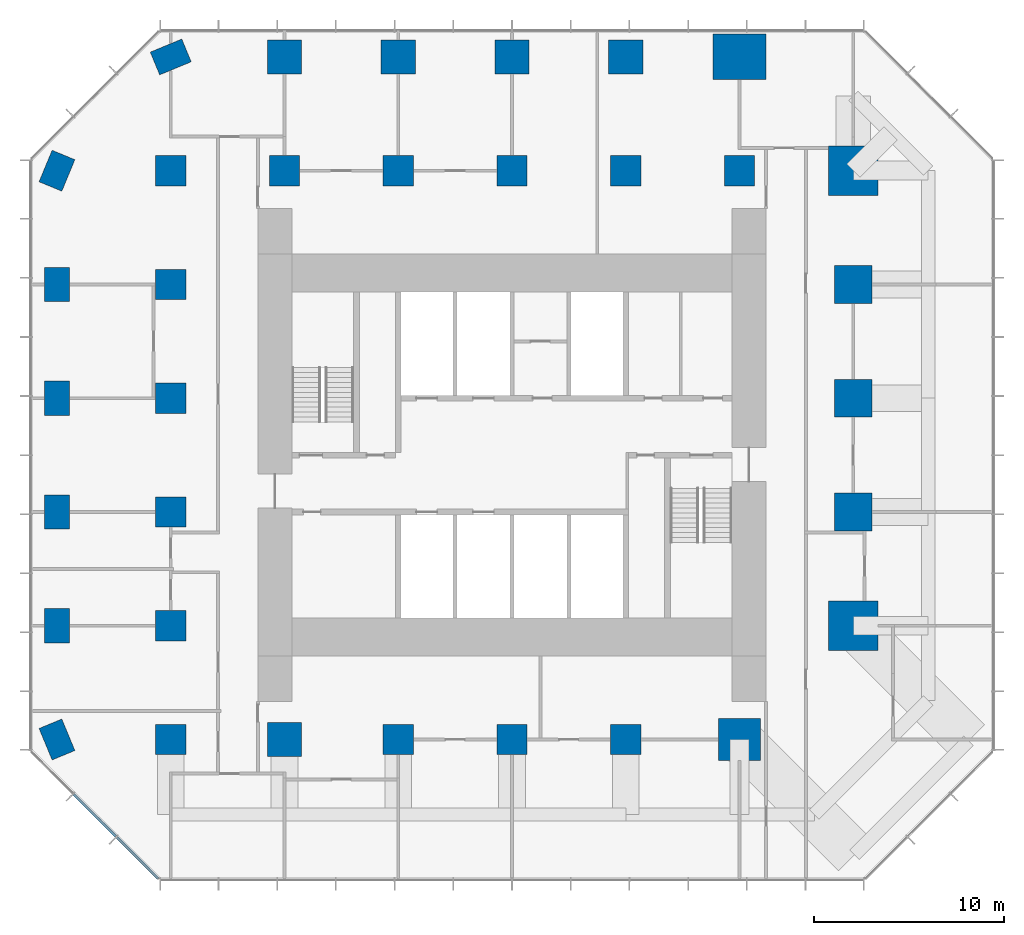
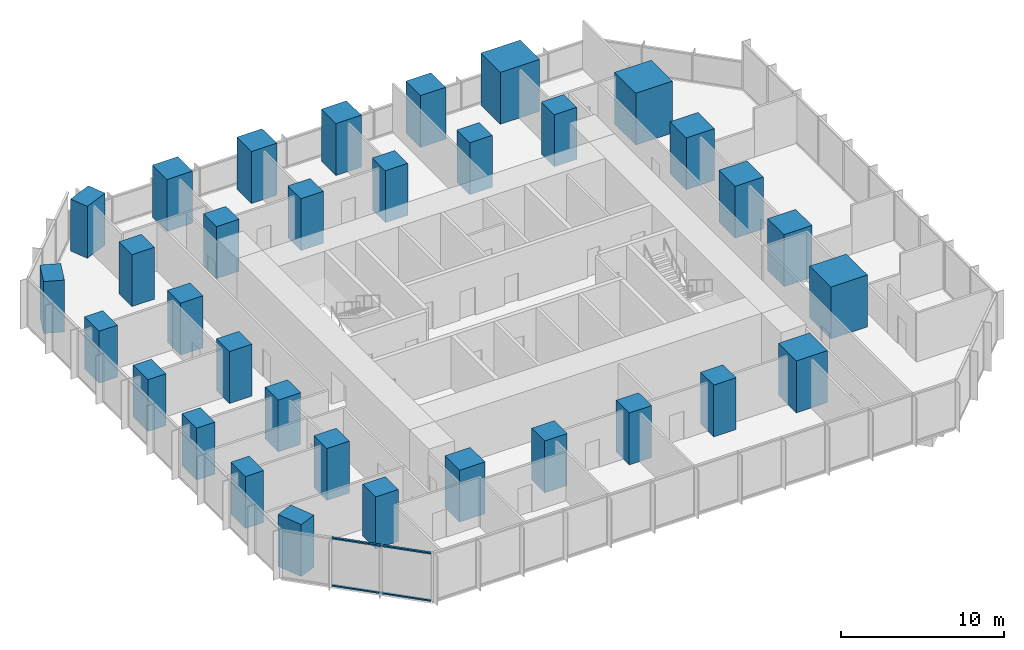
# One storey, part 1 of 12: 33 columns, 4 members, 1 element without a shape of its own.
"""IFC4 building model written with IfcOpenShell, lengths in metres."""

from ifc_helpers import new_model, si_unit, direction, frame, origin, origin_2d, place, context, subcontext, project, spatial, rectangle, extrude, material, layer, layer_set, material_profile, profile_set, type_object, element, aggregate, save


model = new_model("IFC4")

# Units and contexts
model_context = context("Model", 3, precision=1e-05, world=origin(), true_north=direction((0.0, 1.0)))
body_context = subcontext(model_context, "Body", "Model", "MODEL_VIEW")
ifc_project = project(units=[si_unit("LENGTHUNIT", "METRE"), si_unit("AREAUNIT", "SQUARE_METRE"), si_unit("VOLUMEUNIT", "CUBIC_METRE"), si_unit("PLANEANGLEUNIT", "RADIAN"), si_unit("MASSUNIT", "GRAM", prefix="KILO")], contexts=[model_context])

# Site, building, storey
site_placement = place(None, origin())
site = spatial("IfcSite", under=ifc_project, at=site_placement, CompositionType="ELEMENT")
building_placement = place(site_placement, origin())
building = spatial("IfcBuilding", under=site, at=building_placement, Name="Highveld Stack Headquarters", CompositionType="ELEMENT")
storey_placement = place(building_placement, frame((0.0, 0.0, 160.10009765625)))
storey = spatial("IfcBuildingStorey", under=building, at=storey_placement, Name="L39", CompositionType="ELEMENT", Elevation=160.10009765625)

# Columns
ifc_material_1 = material(Name="Concrete C60/75", Category="concrete")
ifc_material_profile_1 = material_profile(ifc_material_1, rectangle(XDim=1.60009765625, YDim=1.60009765625, at=origin_2d()), Name="RC 1600x1600")
ifc_profile_set_1 = profile_set([ifc_material_profile_1], Name="Concrete C60/75")
column_type_1 = type_object("IfcColumnType", Name="COLUMN RC 1600x1600 C60/75", PredefinedType="COLUMN", material=ifc_profile_set_1)
for number, where, z_axis, x_axis, name in (
    (1, (-12.0, -12.0, 0.0), (0.0, 0.0, 1.0), (1.0, 0.0, 0.0), "Column 4/C L39"),
    (2, (-12.0, -6.0, 0.0), (0.0, 0.0, 1.0), (1.0, 0.0, 0.0), "Column 4/D L39"),
    (3, (-12.0, 0.0, 0.0), (0.0, 0.0, 1.0), (1.0, 0.0, 0.0), "Column 4/E L39"),
    (4, (-12.0, 6.0, 0.0), (0.0, 0.0, 1.0), (1.0, 0.0, 0.0), "Column 4/F L39"),
    (5, (-12.0, 12.0, 0.0), (0.0, 0.0, 1.0), (1.0, 0.0, 0.0), "Column 4/G L39"),
    (6, (-12.0, 18.0, 0.0), (0.0, 0.0, 1.0), (1.0, 0.0, 0.0), "Column 4/H L39"),
    (7, (-6.0, 18.0, 0.0), (0.0, 0.0, 1.0), (1.0, 0.0, 0.0), "Column 5/H L39"),
    (8, (0.0, -12.0, 0.0), (0.0, 0.0, 1.0), (1.0, 0.0, 0.0), "Column 6/C L39"),
    (9, (0.0, 18.0, 0.0), (0.0, 0.0, 1.0), (1.0, 0.0, 0.0), "Column 6/H L39"),
    (10, (6.0, -12.0, 0.0), (0.0, 0.0, 1.0), (1.0, 0.0, 0.0), "Column 7/C L39"),
    (11, (6.0, 18.0, 0.0), (0.0, 0.0, 1.0), (1.0, 0.0, 0.0), "Column 7/H L39"),
    (12, (12.0, -12.0, 0.0), (0.0, 0.0, 1.0), (1.0, 0.0, 0.0), "Column 8/C L39"),
    (13, (12.0, 18.0, 0.0), (0.0, 0.0, 1.0), (1.0, 0.0, 0.0), "Column 8/H L39"),
    (14, (18.0, 18.0, 0.0), (0.0, 0.0, 1.0), (1.0, 0.0, 0.0), "Column 9/H L39"),
):
    element("IfcColumn", number, at=place(storey_placement, frame(where, z_axis=z_axis, x_axis=x_axis)), inside=storey, type_object=column_type_1, Name=name, PredefinedType="COLUMN", context=body_context, shape_type="SweptSolid", body=[
        extrude(rectangle(XDim=1.60009765625, YDim=1.60009765625, at=origin_2d()), origin(), (0.0, 0.0, 1.0), 3.89990234375),
    ])
ifc_material_2 = material(Name="Concrete C60/75", Category="concrete")
ifc_material_profile_2 = material_profile(ifc_material_2, rectangle(XDim=1.800048828125, YDim=1.300048828125, at=origin_2d()), Name="RC 1800x1300")
ifc_profile_set_2 = profile_set([ifc_material_profile_2], Name="Concrete C60/75")
column_type_2 = type_object("IfcColumnType", Name="COLUMN RC 1800x1300 C60/75", PredefinedType="COLUMN", material=ifc_profile_set_2)
for number, where, z_axis, x_axis, name in (
    (15, (-18.0, -12.0, 0.0), (0.0, 0.0, 1.0), (-0.382683432365, 0.923879532511, 0.0), "Column 3/C L39"),
    (16, (-18.0, -6.0, 0.0), (0.0, 0.0, 1.0), (0.0, 1.0, 0.0), "Column 3/D L39"),
    (17, (-18.0, 0.0, 0.0), (0.0, 0.0, 1.0), (0.0, 1.0, 0.0), "Column 3/E L39"),
    (18, (-18.0, 6.0, 0.0), (0.0, 0.0, 1.0), (0.0, 1.0, 0.0), "Column 3/F L39"),
    (19, (-18.0, 12.0, 0.0), (0.0, 0.0, 1.0), (0.0, 1.0, 0.0), "Column 3/G L39"),
    (20, (-18.0, 18.0, 0.0), (0.0, 0.0, 1.0), (0.382683432365, 0.923879532511, 0.0), "Column 3/H L39"),
    (21, (-12.0, 24.0, 0.0), (0.0, 0.0, 1.0), (0.923879532511, 0.382683432365, 0.0), "Column 4/J L39"),
):
    element("IfcColumn", number, at=place(storey_placement, frame(where, z_axis=z_axis, x_axis=x_axis)), inside=storey, type_object=column_type_2, Name=name, PredefinedType="COLUMN", context=body_context, shape_type="SweptSolid", body=[
        extrude(rectangle(XDim=1.800048828125, YDim=1.300048828125, at=origin_2d()), origin(), (0.0, 0.0, 1.0), 3.89990234375),
    ])
ifc_material_3 = material(Name="Concrete C60/75", Category="concrete")
ifc_material_profile_3 = material_profile(ifc_material_3, rectangle(XDim=1.800048828125, YDim=1.800048828125, at=origin_2d()), Name="RC 1800x1800")
ifc_profile_set_3 = profile_set([ifc_material_profile_3], Name="Concrete C60/75")
column_type_3 = type_object("IfcColumnType", Name="COLUMN RC 1800x1800 C60/75", PredefinedType="COLUMN", material=ifc_profile_set_3)
for number, where, z_axis, x_axis, name in (
    (22, (-6.0, -12.0, 0.0), (0.0, 0.0, 1.0), (1.0, 0.0, 0.0), "Column 5/C L39"),
    (23, (-6.0, 24.0, 0.0), (0.0, 0.0, 1.0), (1.0, 0.0, 0.0), "Column 5/J L39"),
    (24, (0.0, 24.0, 0.0), (0.0, 0.0, 1.0), (1.0, 0.0, 0.0), "Column 6/J L39"),
    (25, (6.0, 24.0, 0.0), (0.0, 0.0, 1.0), (1.0, 0.0, 0.0), "Column 7/J L39"),
    (26, (12.0, 24.0, 0.0), (0.0, 0.0, 1.0), (1.0, 0.0, 0.0), "Column 8/J L39"),
):
    element("IfcColumn", number, at=place(storey_placement, frame(where, z_axis=z_axis, x_axis=x_axis)), inside=storey, type_object=column_type_3, Name=name, PredefinedType="COLUMN", context=body_context, shape_type="SweptSolid", body=[
        extrude(rectangle(XDim=1.800048828125, YDim=1.800048828125, at=origin_2d()), origin(), (0.0, 0.0, 1.0), 3.89990234375),
    ])
ifc_material_4 = material(Name="Concrete C60/75", Category="concrete")
ifc_material_profile_4 = material_profile(ifc_material_4, rectangle(XDim=2.0, YDim=2.0, at=origin_2d()), Name="RC 2000x2000")
ifc_profile_set_4 = profile_set([ifc_material_profile_4], Name="Concrete C60/75")
column_type_4 = type_object("IfcColumnType", Name="COLUMN RC 2000x2000 C60/75", PredefinedType="COLUMN", material=ifc_profile_set_4)
for number, where, z_axis, x_axis, name in (
    (27, (24.0, 0.0, 0.0), (0.0, 0.0, 1.0), (1.0, 0.0, 0.0), "Column 10/E L39"),
    (28, (24.0, 6.0, 0.0), (0.0, 0.0, 1.0), (1.0, 0.0, 0.0), "Column 10/F L39"),
    (29, (24.0, 12.0, 0.0), (0.0, 0.0, 1.0), (1.0, 0.0, 0.0), "Column 10/G L39"),
):
    element("IfcColumn", number, at=place(storey_placement, frame(where, z_axis=z_axis, x_axis=x_axis)), inside=storey, type_object=column_type_4, Name=name, PredefinedType="COLUMN", context=body_context, shape_type="SweptSolid", body=[
        extrude(rectangle(XDim=2.0, YDim=2.0, at=origin_2d()), origin(), (0.0, 0.0, 1.0), 3.89990234375),
    ])
ifc_material_5 = material(Name="Concrete C60/75", Category="concrete")
ifc_material_profile_5 = material_profile(ifc_material_5, rectangle(XDim=2.199951171875, YDim=2.199951171875, at=origin_2d()), Name="RC 2200x2200")
ifc_profile_set_5 = profile_set([ifc_material_profile_5], Name="Concrete C60/75")
column_type_5 = type_object("IfcColumnType", Name="COLUMN RC 2200x2200 C60/75", PredefinedType="COLUMN", material=ifc_profile_set_5)
column_1_placement = place(storey_placement, frame((18.0, -12.0, 0.0), z_axis=(0.0, 0.0, 1.0), x_axis=(1.0, 0.0, 0.0)))
element("IfcColumn", 30, at=column_1_placement, inside=storey, type_object=column_type_5, Name="Column 9/C L39", PredefinedType="COLUMN", context=body_context, shape_type="SweptSolid", body=[
    extrude(rectangle(XDim=2.199951171875, YDim=2.199951171875, at=origin_2d()), origin(), (0.0, 0.0, 1.0), 3.89990234375),
])
ifc_material_6 = material(Name="Concrete C60/75", Category="concrete")
ifc_material_profile_6 = material_profile(ifc_material_6, rectangle(XDim=2.60009765625, YDim=2.60009765625, at=origin_2d()), Name="RC 2600x2600")
ifc_profile_set_6 = profile_set([ifc_material_profile_6], Name="Concrete C60/75")
column_type_6 = type_object("IfcColumnType", Name="COLUMN RC 2600x2600 C60/75", PredefinedType="COLUMN", material=ifc_profile_set_6)
for number, where, z_axis, x_axis, name in (
    (31, (24.0, -6.0, 0.0), (0.0, 0.0, 1.0), (1.0, 0.0, 0.0), "Column 10/D L39"),
    (32, (24.0, 18.0, 0.0), (0.0, 0.0, 1.0), (1.0, 0.0, 0.0), "Column 10/H L39"),
):
    element("IfcColumn", number, at=place(storey_placement, frame(where, z_axis=z_axis, x_axis=x_axis)), inside=storey, type_object=column_type_6, Name=name, PredefinedType="COLUMN", context=body_context, shape_type="SweptSolid", body=[
        extrude(rectangle(XDim=2.60009765625, YDim=2.60009765625, at=origin_2d()), origin(), (0.0, 0.0, 1.0), 3.89990234375),
    ])
ifc_material_7 = material(Name="Concrete C60/75", Category="concrete")
ifc_material_profile_7 = material_profile(ifc_material_7, rectangle(XDim=2.800048828125, YDim=2.39990234375, at=origin_2d()), Name="RC 2800x2400")
ifc_profile_set_7 = profile_set([ifc_material_profile_7], Name="Concrete C60/75")
column_type_7 = type_object("IfcColumnType", Name="COLUMN RC 2800x2400 C60/75", PredefinedType="COLUMN", material=ifc_profile_set_7)
column_2_placement = place(storey_placement, frame((18.0, 24.0, 0.0), z_axis=(0.0, 0.0, 1.0), x_axis=(1.0, 0.0, 0.0)))
element("IfcColumn", 33, at=column_2_placement, inside=storey, type_object=column_type_7, Name="Column 9/J L39", PredefinedType="COLUMN", context=body_context, shape_type="SweptSolid", body=[
    extrude(rectangle(XDim=2.800048828125, YDim=2.39990234375, at=origin_2d()), origin(), (0.0, 0.0, 1.0), 3.89990234375),
])

# Curtain wall, members
ifc_material_8 = material(Name="Aluminium bronze anodised", Category="aluminium")
ifc_layer = layer(ifc_material_8, 0.199951171875)
ifc_layer_set = layer_set([ifc_layer], Name="Aluminium bronze anodised")
curtain_wall_type = type_object("IfcCurtainWallType", Name="CW2 TOWER CHAMFER UNITISED CURTAIN WALL", PredefinedType="NOTDEFINED", material=ifc_layer_set)
curtain_wall_placement = place(storey_placement, origin())
curtain_wall = element("IfcCurtainWall", 34, at=curtain_wall_placement, inside=storey, type_object=curtain_wall_type, Name="Curtain wall CW2 L39 SW", PredefinedType="NOTDEFINED")
ifc_material_9 = material(Name="Aluminium bronze anodised", Category="aluminium")
ifc_material_profile_8 = material_profile(ifc_material_9, rectangle(XDim=0.14990234375, YDim=0.10009765625, at=origin_2d()), Name="CW2 TRANSOM 150x100")
ifc_profile_set_8 = profile_set([ifc_material_profile_8], Name="Aluminium bronze anodised")
member_type = type_object("IfcMemberType", Name="CW2 STACK TRANSOM 150x100", PredefinedType="USERDEFINED", material=ifc_profile_set_8)
member_1_placement = place(storey_placement, frame((-17.103759765625, -14.876220703125, 0.0498046875), z_axis=(0.707106781187, -0.707106781187, 0.0), x_axis=(0.707106781187, 0.707106781187, 0.0)))
member_1 = element("IfcMember", 35, at=member_1_placement, type_object=member_type, Name="CW2 transom L39 2.1", ObjectType="TRANSOM", PredefinedType="USERDEFINED", context=body_context, shape_type="SweptSolid", body=[
    extrude(rectangle(XDim=0.14990234375, YDim=0.10009765625, at=origin_2d()), origin(), (0.0, 0.0, 1.0), 3.150146484375),
])
member_2_placement = place(storey_placement, frame((-17.103759765625, -14.876220703125, 3.599853515625), z_axis=(0.707106781187, -0.707106781187, 0.0), x_axis=(0.707106781187, 0.707106781187, 0.0)))
member_2 = element("IfcMember", 36, at=member_2_placement, type_object=member_type, Name="CW2 transom L39 2.2", ObjectType="TRANSOM", PredefinedType="USERDEFINED", context=body_context, shape_type="SweptSolid", body=[
    extrude(rectangle(XDim=0.14990234375, YDim=0.10009765625, at=origin_2d()), origin(), (0.0, 0.0, 1.0), 3.150146484375),
])
member_3_placement = place(storey_placement, frame((-14.830322265625, -17.149658203125, 0.0498046875), z_axis=(0.707106781187, -0.707106781187, 0.0), x_axis=(0.707106781187, 0.707106781187, 0.0)))
member_3 = element("IfcMember", 37, at=member_3_placement, type_object=member_type, Name="CW2 transom L39 3.1", ObjectType="TRANSOM", PredefinedType="USERDEFINED", context=body_context, shape_type="SweptSolid", body=[
    extrude(rectangle(XDim=0.14990234375, YDim=0.10009765625, at=origin_2d()), origin(), (0.0, 0.0, 1.0), 3.08251953125),
])
member_4_placement = place(storey_placement, frame((-14.830322265625, -17.149658203125, 3.599853515625), z_axis=(0.707106781187, -0.707106781187, 0.0), x_axis=(0.707106781187, 0.707106781187, 0.0)))
member_4 = element("IfcMember", 38, at=member_4_placement, type_object=member_type, Name="CW2 transom L39 3.2", ObjectType="TRANSOM", PredefinedType="USERDEFINED", context=body_context, shape_type="SweptSolid", body=[
    extrude(rectangle(XDim=0.14990234375, YDim=0.10009765625, at=origin_2d()), origin(), (0.0, 0.0, 1.0), 3.08251953125),
])
aggregate(curtain_wall, [member_1, member_2, member_3, member_4])

save(model, "model.ifc")
